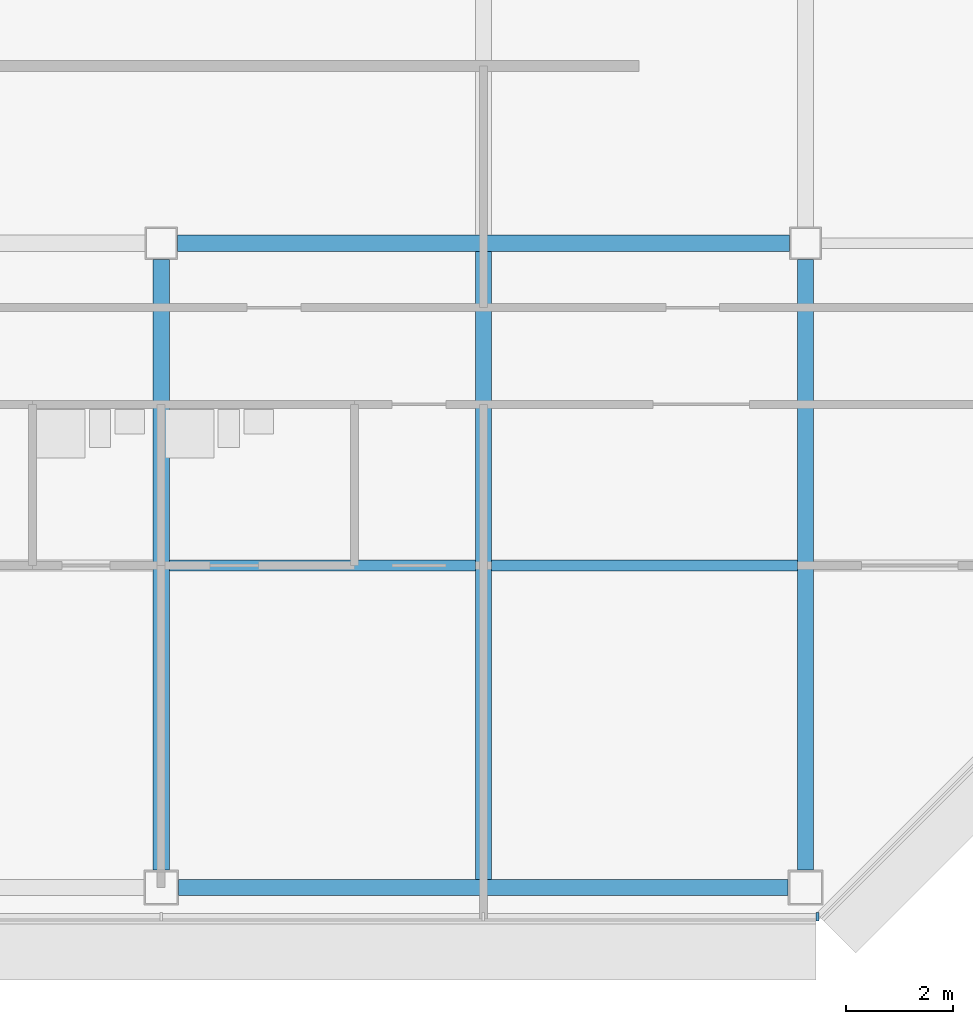
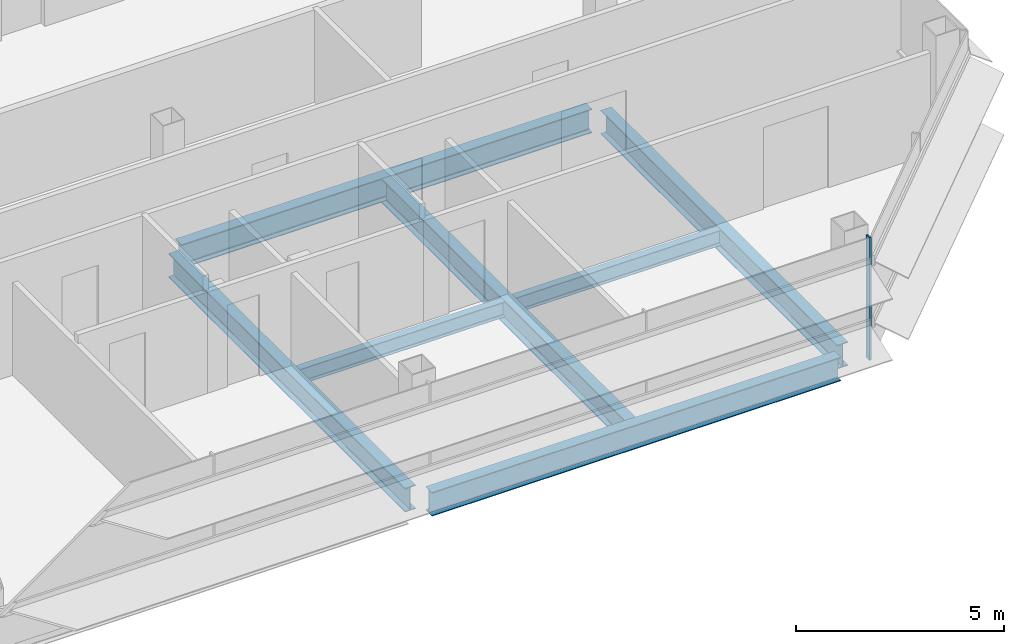
# One storey, part 9 of 27: 7 beams, 1 member, 1 element without a shape of its own.
"""IFC4 building model written with IfcOpenShell, lengths in metres."""

from ifc_helpers import new_model, si_unit, direction, frame, origin, origin_2d, place, context, subcontext, project, spatial, rectangle, i_section, extrude, material, material_profile, profile_set, type_object, element, aggregate, save


model = new_model("IFC4")

# Units and contexts
model_context = context("Model", 3, precision=1e-05, world=origin(), true_north=direction((0.0, 1.0)))
body_context = subcontext(model_context, "Body", "Model", "MODEL_VIEW")
ifc_project = project(units=[si_unit("LENGTHUNIT", "METRE"), si_unit("AREAUNIT", "SQUARE_METRE"), si_unit("VOLUMEUNIT", "CUBIC_METRE"), si_unit("PLANEANGLEUNIT", "RADIAN"), si_unit("MASSUNIT", "GRAM", prefix="KILO")], contexts=[model_context])

# Site, building, storey
site_placement = place(None, origin())
site = spatial("IfcSite", under=ifc_project, at=site_placement, CompositionType="ELEMENT")
building_placement = place(site_placement, origin())
building = spatial("IfcBuilding", under=site, at=building_placement, Name="Sorahane Residences", CompositionType="ELEMENT")
storey_placement = place(building_placement, frame((0.0, 0.0, 202.800048828125)))
storey = spatial("IfcBuildingStorey", under=building, at=storey_placement, Name="L47", CompositionType="ELEMENT", Elevation=202.800048828125)

# Curtain wall, member
ifc_material_1 = material(Name="Dark low-e glass and black anodised aluminium", Category="aluminium")
curtain_wall_type = type_object("IfcCurtainWallType", Name="Curtain wall CW-1 Typical unitised wall", PredefinedType="NOTDEFINED", material=ifc_material_1)
curtain_wall_placement = place(storey_placement, origin())
curtain_wall = element("IfcCurtainWall", 1, at=curtain_wall_placement, inside=storey, type_object=curtain_wall_type, Name="CW-1 curtain wall L47 S1", PredefinedType="NOTDEFINED")
ifc_material_2 = material(Name="Black anodised aluminium", Category="aluminium")
ifc_material_profile_1 = material_profile(ifc_material_2, rectangle(XDim=0.159912109375, YDim=0.050048828125, at=origin_2d()), Name="Curtain wall mullion CW-1 black anodised aluminium 50x160")
ifc_profile_set_1 = profile_set([ifc_material_profile_1], Name="Black anodised aluminium")
member_type = type_object("IfcMemberType", Name="Curtain wall mullion CW-1 black anodised aluminium 50x160", PredefinedType="MULLION", material=ifc_profile_set_1)
member_placement = place(storey_placement, frame((48.2236328125, -0.5400390625, -0.179931640625), z_axis=(0.0, 0.0, 1.0), x_axis=(0.0, -1.0, 0.0)))
member = element("IfcMember", 2, at=member_placement, type_object=member_type, Name="CW-1 mullion L47 S1.10", PredefinedType="MULLION", context=body_context, shape_type="SweptSolid", body=[
    extrude(rectangle(XDim=0.159912109375, YDim=0.050048828125, at=origin_2d()), origin(), (0.0, 0.0, 1.0), 3.599853515625),
])
aggregate(curtain_wall, [member])

# Beams
ifc_material_3 = material(Name="Steel Q355B", Category="steel")
ifc_material_profile_2 = material_profile(ifc_material_3, i_section(OverallWidth=0.199951171875, OverallDepth=0.449951171875, WebThickness=0.009033203125, FlangeThickness=0.013916015625, FilletRadius=0.02001953125, at=origin_2d()), Name="HN 450x200x9x14")
ifc_profile_set_2 = profile_set([ifc_material_profile_2], Name="Steel Q355B")
beam_type_1 = type_object("IfcBeamType", Name="Steel floor beam HN 450x200x9x14 Q355B", PredefinedType="BEAM", material=ifc_profile_set_2)
for number, where, z_axis, x_axis, name in (
    (3, (36.14990234375, 6.0, -0.405029296875), (1.0, 0.0, 0.0), (0.0, 1.0, 0.0), "Beam L47 075"),
    (4, (42.14990234375, 6.0, -0.405029296875), (1.0, 0.0, 0.0), (0.0, 1.0, 0.0), "Beam L47 076"),
):
    element("IfcBeam", number, at=place(storey_placement, frame(where, z_axis=z_axis, x_axis=x_axis)), inside=storey, type_object=beam_type_1, Name=name, PredefinedType="BEAM", context=body_context, shape_type="SweptSolid", body=[
        extrude(i_section(OverallWidth=0.199951171875, OverallDepth=0.449951171875, WebThickness=0.009033203125, FlangeThickness=0.013916015625, FilletRadius=0.02001953125, at=origin_2d()), origin(), (0.0, 0.0, 1.0), 5.7001953125),
    ])
ifc_material_4 = material(Name="Steel Q355B", Category="steel")
ifc_material_profile_3 = material_profile(ifc_material_4, i_section(OverallWidth=0.300048828125, OverallDepth=0.699951171875, WebThickness=0.012939453125, FlangeThickness=0.02392578125, FilletRadius=0.028076171875, at=origin_2d()), Name="HN 700x300x13x24")
ifc_profile_set_3 = profile_set([ifc_material_profile_3], Name="Steel Q355B")
beam_type_2 = type_object("IfcBeamType", Name="Steel floor beam HN 700x300x13x24 Q355B", PredefinedType="BEAM", material=ifc_profile_set_3)
beam_1_placement = place(storey_placement, frame((36.324951171875, 0.0, -0.530029296875), z_axis=(1.0, 0.0, 0.0), x_axis=(0.0, 1.0, 0.0)))
element("IfcBeam", 5, at=beam_1_placement, inside=storey, type_object=beam_type_2, Name="Beam L47 004", PredefinedType="BEAM", context=body_context, shape_type="SweptSolid", body=[
    extrude(i_section(OverallWidth=0.300048828125, OverallDepth=0.699951171875, WebThickness=0.012939453125, FlangeThickness=0.02392578125, FilletRadius=0.028076171875, at=origin_2d()), origin(), (0.0, 0.0, 1.0), 11.35009765625),
])
beam_2_placement = place(storey_placement, frame((36.300048828125, 12.0, -0.530029296875), z_axis=(1.0, 0.0, 0.0), x_axis=(0.0, 1.0, 0.0)))
element("IfcBeam", 6, at=beam_2_placement, inside=storey, type_object=beam_type_2, Name="Beam L47 009", PredefinedType="BEAM", context=body_context, shape_type="SweptSolid", body=[
    extrude(i_section(OverallWidth=0.300048828125, OverallDepth=0.699951171875, WebThickness=0.012939453125, FlangeThickness=0.02392578125, FilletRadius=0.028076171875, at=origin_2d()), origin(), (0.0, 0.0, 1.0), 11.39990234375),
])
beam_3_placement = place(storey_placement, frame((36.0, 0.324951171875, -0.530029296875), z_axis=(0.0, 1.0, 0.0), x_axis=(-1.0, 0.0, 0.0)))
element("IfcBeam", 7, at=beam_3_placement, inside=storey, type_object=beam_type_2, Name="Beam L47 050", PredefinedType="BEAM", context=body_context, shape_type="SweptSolid", body=[
    extrude(i_section(OverallWidth=0.300048828125, OverallDepth=0.699951171875, WebThickness=0.012939453125, FlangeThickness=0.02392578125, FilletRadius=0.028076171875, at=origin_2d()), origin(), (0.0, 0.0, 1.0), 11.375),
])
beam_4_placement = place(storey_placement, frame((42.0, 0.14990234375, -0.530029296875), z_axis=(0.0, 1.0, 0.0), x_axis=(-1.0, 0.0, 0.0)))
element("IfcBeam", 8, at=beam_4_placement, inside=storey, type_object=beam_type_2, Name="Beam L47 052", PredefinedType="BEAM", context=body_context, shape_type="SweptSolid", body=[
    extrude(i_section(OverallWidth=0.300048828125, OverallDepth=0.699951171875, WebThickness=0.012939453125, FlangeThickness=0.02392578125, FilletRadius=0.028076171875, at=origin_2d()), origin(), (0.0, 0.0, 1.0), 11.7001953125),
])
beam_5_placement = place(storey_placement, frame((48.0, 0.324951171875, -0.530029296875), z_axis=(0.0, 1.0, 0.0), x_axis=(-1.0, 0.0, 0.0)))
element("IfcBeam", 9, at=beam_5_placement, inside=storey, type_object=beam_type_2, Name="Beam L47 058", PredefinedType="BEAM", context=body_context, shape_type="SweptSolid", body=[
    extrude(i_section(OverallWidth=0.300048828125, OverallDepth=0.699951171875, WebThickness=0.012939453125, FlangeThickness=0.02392578125, FilletRadius=0.028076171875, at=origin_2d()), origin(), (0.0, 0.0, 1.0), 11.375),
])

save(model, "model.ifc")
